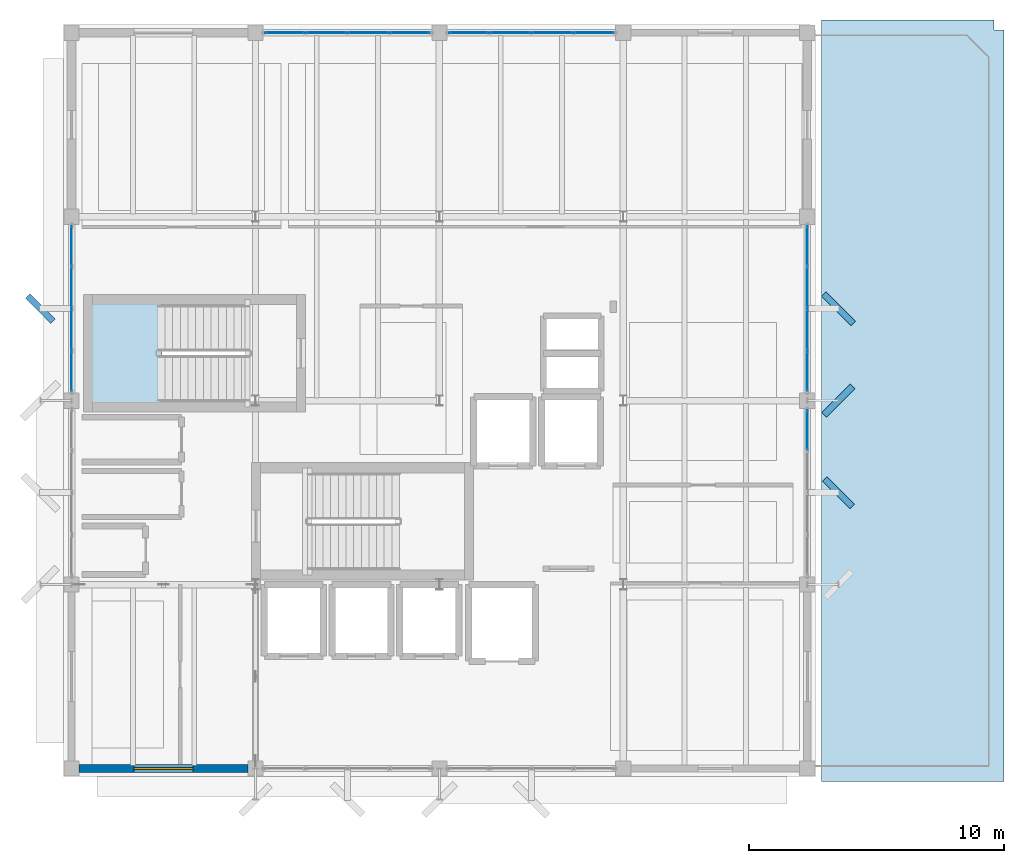
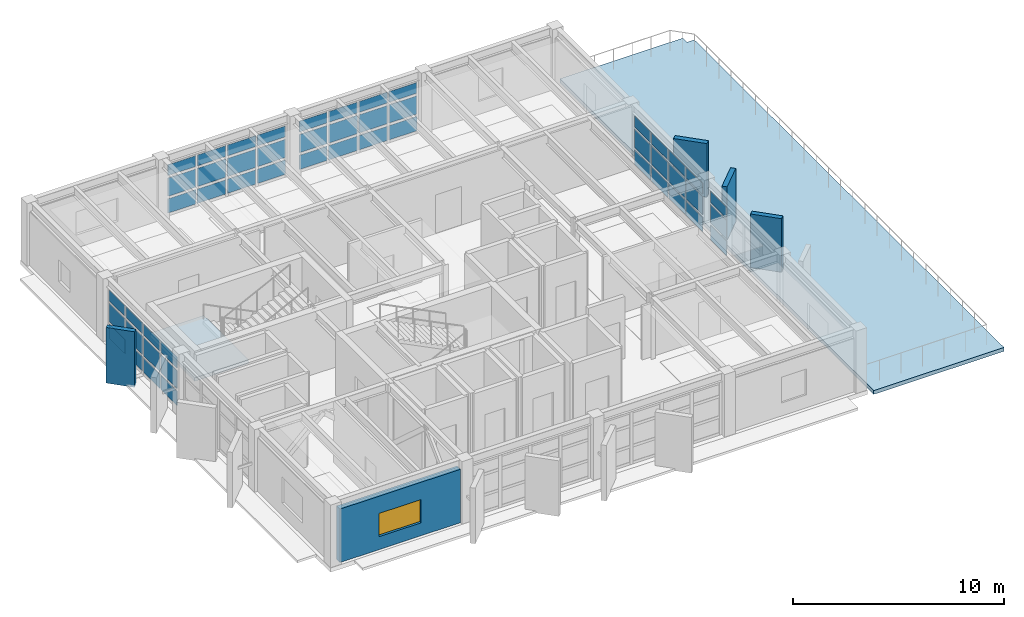
# One storey, part 12 of 19: 55 plates, 2 slabs, 1 wall, 1 window, 1 opening, 6 elements without a shape of their own.
"""IFC4 building model written with IfcOpenShell, lengths in metres."""

from ifc_helpers import new_model, si_unit, direction, frame, frame_2d, origin, origin_2d, place, context, subcontext, project, spatial, polyline, rectangle, outline, extrude, material, layer, layer_set, type_object, element, fill, aggregate, save


model = new_model("IFC4")

# Units and contexts
model_context = context("Model", 3, precision=1e-05, world=origin(), true_north=direction((0.0, 1.0)))
body_context = subcontext(model_context, "Body", "Model", "MODEL_VIEW")
ifc_project = project(units=[si_unit("LENGTHUNIT", "METRE"), si_unit("AREAUNIT", "SQUARE_METRE"), si_unit("VOLUMEUNIT", "CUBIC_METRE"), si_unit("PLANEANGLEUNIT", "RADIAN"), si_unit("MASSUNIT", "GRAM", prefix="KILO")], contexts=[model_context])

# Site, building, storey
site_placement = place(None, origin())
site = spatial("IfcSite", under=ifc_project, at=site_placement, CompositionType="ELEMENT")
building_placement = place(site_placement, origin())
building = spatial("IfcBuilding", under=site, at=building_placement, Name="Kandorven Conservatory and Botanical Research Centre", CompositionType="ELEMENT")
storey_placement = place(building_placement, frame((0.0, 0.0, 28.800048828125)))
storey = spatial("IfcBuildingStorey", under=building, at=storey_placement, Name="L07", CompositionType="ELEMENT", Elevation=28.800048828125)

# Curtain wall, plates
ifc_material_1 = material(Name="Bronze anodised thermally broken aluminium", Category="aluminium")
ifc_layer_1 = layer(ifc_material_1, 0.179931640625)
ifc_layer_set_1 = layer_set([ifc_layer_1], Name="Bronze anodised thermally broken aluminium")
curtain_wall_type = type_object("IfcCurtainWallType", Name="CW_Unitised", PredefinedType="USERDEFINED", material=ifc_layer_set_1)
curtain_wall_1_placement = place(storey_placement, origin())
curtain_wall_1 = element("IfcCurtainWall", 1, at=curtain_wall_1_placement, inside=storey, type_object=curtain_wall_type, Name="Tower laboratory curtain wall CW-TWR-N-L07-2", ObjectType="UNITISED GLAZING", PredefinedType="USERDEFINED")
ifc_material_2 = material(Name="Double-glazed solar-control low-E glass", Category="glass")
ifc_layer_2 = layer(ifc_material_2, 0.028076171875)
ifc_layer_set_2 = layer_set([ifc_layer_2], Name="Double-glazed solar-control low-E glass")
plate_type_1 = type_object("IfcPlateType", Name="CW_Panel", PredefinedType="CURTAIN_PANEL", material=ifc_layer_set_2)
plate_1_placement = place(storey_placement, frame((14.344970703125, 34.800048828125, 0.14990234375), z_axis=(0.0, 0.0, 1.0), x_axis=(1.0, 0.0, 0.0)))
plate_1 = element("IfcPlate", 2, at=plate_1_placement, type_object=plate_type_1, Name="CW-01 panel 1.1", PredefinedType="CURTAIN_PANEL", context=body_context, shape_type="SweptSolid", body=[
    extrude(rectangle(XDim=1.530029296875, YDim=0.028076171875, at=origin_2d()), origin(), (0.0, 0.0, 1.0), 0.824951171875),
])
plate_2_placement = place(storey_placement, frame((14.344970703125, 34.800048828125, 1.125), z_axis=(0.0, 0.0, 1.0), x_axis=(1.0, 0.0, 0.0)))
plate_2 = element("IfcPlate", 3, at=plate_2_placement, type_object=plate_type_1, Name="CW-01 panel 1.2", PredefinedType="CURTAIN_PANEL", context=body_context, shape_type="SweptSolid", body=[
    extrude(rectangle(XDim=1.530029296875, YDim=0.028076171875, at=origin_2d()), origin(), (0.0, 0.0, 1.0), 1.050048828125),
])
plate_3_placement = place(storey_placement, frame((14.344970703125, 34.800048828125, 2.324951171875), z_axis=(0.0, 0.0, 1.0), x_axis=(1.0, 0.0, 0.0)))
plate_3 = element("IfcPlate", 4, at=plate_3_placement, type_object=plate_type_1, Name="CW-01 panel 1.3", PredefinedType="CURTAIN_PANEL", context=body_context, shape_type="SweptSolid", body=[
    extrude(rectangle(XDim=1.530029296875, YDim=0.028076171875, at=origin_2d()), origin(), (0.0, 0.0, 1.0), 0.625),
])
plate_4_placement = place(storey_placement, frame((15.97509765625, 34.800048828125, 0.14990234375), z_axis=(0.0, 0.0, 1.0), x_axis=(1.0, 0.0, 0.0)))
plate_4 = element("IfcPlate", 5, at=plate_4_placement, type_object=plate_type_1, Name="CW-01 panel 2.1", PredefinedType="CURTAIN_PANEL", context=body_context, shape_type="SweptSolid", body=[
    extrude(rectangle(XDim=1.570068359375, YDim=0.028076171875, at=origin_2d()), origin(), (0.0, 0.0, 1.0), 0.824951171875),
])
plate_5_placement = place(storey_placement, frame((15.97509765625, 34.800048828125, 1.125), z_axis=(0.0, 0.0, 1.0), x_axis=(1.0, 0.0, 0.0)))
plate_5 = element("IfcPlate", 6, at=plate_5_placement, type_object=plate_type_1, Name="CW-01 panel 2.2", PredefinedType="CURTAIN_PANEL", context=body_context, shape_type="SweptSolid", body=[
    extrude(rectangle(XDim=1.570068359375, YDim=0.028076171875, at=origin_2d()), origin(), (0.0, 0.0, 1.0), 1.050048828125),
])
plate_6_placement = place(storey_placement, frame((15.97509765625, 34.800048828125, 2.324951171875), z_axis=(0.0, 0.0, 1.0), x_axis=(1.0, 0.0, 0.0)))
plate_6 = element("IfcPlate", 7, at=plate_6_placement, type_object=plate_type_1, Name="CW-01 panel 2.3", PredefinedType="CURTAIN_PANEL", context=body_context, shape_type="SweptSolid", body=[
    extrude(rectangle(XDim=1.570068359375, YDim=0.028076171875, at=origin_2d()), origin(), (0.0, 0.0, 1.0), 0.625),
])
plate_7_placement = place(storey_placement, frame((17.625, 34.800048828125, 0.14990234375), z_axis=(0.0, 0.0, 1.0), x_axis=(1.0, 0.0, 0.0)))
plate_7 = element("IfcPlate", 8, at=plate_7_placement, type_object=plate_type_1, Name="CW-01 panel 3.1", PredefinedType="CURTAIN_PANEL", context=body_context, shape_type="SweptSolid", body=[
    extrude(rectangle(XDim=1.570068359375, YDim=0.028076171875, at=origin_2d()), origin(), (0.0, 0.0, 1.0), 0.824951171875),
])
plate_8_placement = place(storey_placement, frame((17.625, 34.800048828125, 1.125), z_axis=(0.0, 0.0, 1.0), x_axis=(1.0, 0.0, 0.0)))
plate_8 = element("IfcPlate", 9, at=plate_8_placement, type_object=plate_type_1, Name="CW-01 panel 3.2", PredefinedType="CURTAIN_PANEL", context=body_context, shape_type="SweptSolid", body=[
    extrude(rectangle(XDim=1.570068359375, YDim=0.028076171875, at=origin_2d()), origin(), (0.0, 0.0, 1.0), 1.050048828125),
])
plate_9_placement = place(storey_placement, frame((17.625, 34.800048828125, 2.324951171875), z_axis=(0.0, 0.0, 1.0), x_axis=(1.0, 0.0, 0.0)))
plate_9 = element("IfcPlate", 10, at=plate_9_placement, type_object=plate_type_1, Name="CW-01 panel 3.3", PredefinedType="CURTAIN_PANEL", context=body_context, shape_type="SweptSolid", body=[
    extrude(rectangle(XDim=1.570068359375, YDim=0.028076171875, at=origin_2d()), origin(), (0.0, 0.0, 1.0), 0.625),
])
plate_10_placement = place(storey_placement, frame((19.2548828125, 34.800048828125, 0.14990234375), z_axis=(0.0, 0.0, 1.0), x_axis=(1.0, 0.0, 0.0)))
plate_10 = element("IfcPlate", 11, at=plate_10_placement, type_object=plate_type_1, Name="CW-01 panel 4.1", PredefinedType="CURTAIN_PANEL", context=body_context, shape_type="SweptSolid", body=[
    extrude(rectangle(XDim=1.530029296875, YDim=0.028076171875, at=origin_2d()), origin(), (0.0, 0.0, 1.0), 0.824951171875),
])
plate_11_placement = place(storey_placement, frame((19.2548828125, 34.800048828125, 1.125), z_axis=(0.0, 0.0, 1.0), x_axis=(1.0, 0.0, 0.0)))
plate_11 = element("IfcPlate", 12, at=plate_11_placement, type_object=plate_type_1, Name="CW-01 panel 4.2", PredefinedType="CURTAIN_PANEL", context=body_context, shape_type="SweptSolid", body=[
    extrude(rectangle(XDim=1.530029296875, YDim=0.028076171875, at=origin_2d()), origin(), (0.0, 0.0, 1.0), 1.050048828125),
])
plate_12_placement = place(storey_placement, frame((19.2548828125, 34.800048828125, 2.324951171875), z_axis=(0.0, 0.0, 1.0), x_axis=(1.0, 0.0, 0.0)))
plate_12 = element("IfcPlate", 13, at=plate_12_placement, type_object=plate_type_1, Name="CW-01 panel 4.3", PredefinedType="CURTAIN_PANEL", context=body_context, shape_type="SweptSolid", body=[
    extrude(rectangle(XDim=1.530029296875, YDim=0.028076171875, at=origin_2d()), origin(), (0.0, 0.0, 1.0), 0.625),
])
aggregate(curtain_wall_1, [plate_1, plate_2, plate_3, plate_4, plate_5, plate_6, plate_7, plate_8, plate_9, plate_10, plate_11, plate_12])

curtain_wall_2_placement = place(storey_placement, origin())
curtain_wall_2 = element("IfcCurtainWall", 14, at=curtain_wall_2_placement, inside=storey, type_object=curtain_wall_type, Name="Tower laboratory curtain wall CW-TWR-N-L07-3", ObjectType="UNITISED GLAZING", PredefinedType="USERDEFINED")
plate_13_placement = place(storey_placement, frame((21.544921875, 34.800048828125, 0.14990234375), z_axis=(0.0, 0.0, 1.0), x_axis=(1.0, 0.0, 0.0)))
plate_13 = element("IfcPlate", 15, at=plate_13_placement, type_object=plate_type_1, Name="CW-01 panel 1.1", PredefinedType="CURTAIN_PANEL", context=body_context, shape_type="SweptSolid", body=[
    extrude(rectangle(XDim=1.530029296875, YDim=0.028076171875, at=origin_2d()), origin(), (0.0, 0.0, 1.0), 0.824951171875),
])
plate_14_placement = place(storey_placement, frame((21.544921875, 34.800048828125, 1.125), z_axis=(0.0, 0.0, 1.0), x_axis=(1.0, 0.0, 0.0)))
plate_14 = element("IfcPlate", 16, at=plate_14_placement, type_object=plate_type_1, Name="CW-01 panel 1.2", PredefinedType="CURTAIN_PANEL", context=body_context, shape_type="SweptSolid", body=[
    extrude(rectangle(XDim=1.530029296875, YDim=0.028076171875, at=origin_2d()), origin(), (0.0, 0.0, 1.0), 1.050048828125),
])
plate_15_placement = place(storey_placement, frame((21.544921875, 34.800048828125, 2.324951171875), z_axis=(0.0, 0.0, 1.0), x_axis=(1.0, 0.0, 0.0)))
plate_15 = element("IfcPlate", 17, at=plate_15_placement, type_object=plate_type_1, Name="CW-01 panel 1.3", PredefinedType="CURTAIN_PANEL", context=body_context, shape_type="SweptSolid", body=[
    extrude(rectangle(XDim=1.530029296875, YDim=0.028076171875, at=origin_2d()), origin(), (0.0, 0.0, 1.0), 0.625),
])
plate_16_placement = place(storey_placement, frame((23.175048828125, 34.800048828125, 0.14990234375), z_axis=(0.0, 0.0, 1.0), x_axis=(1.0, 0.0, 0.0)))
plate_16 = element("IfcPlate", 18, at=plate_16_placement, type_object=plate_type_1, Name="CW-01 panel 2.1", PredefinedType="CURTAIN_PANEL", context=body_context, shape_type="SweptSolid", body=[
    extrude(rectangle(XDim=1.570068359375, YDim=0.028076171875, at=origin_2d()), origin(), (0.0, 0.0, 1.0), 0.824951171875),
])
plate_17_placement = place(storey_placement, frame((23.175048828125, 34.800048828125, 1.125), z_axis=(0.0, 0.0, 1.0), x_axis=(1.0, 0.0, 0.0)))
plate_17 = element("IfcPlate", 19, at=plate_17_placement, type_object=plate_type_1, Name="CW-01 panel 2.2", PredefinedType="CURTAIN_PANEL", context=body_context, shape_type="SweptSolid", body=[
    extrude(rectangle(XDim=1.570068359375, YDim=0.028076171875, at=origin_2d()), origin(), (0.0, 0.0, 1.0), 1.050048828125),
])
plate_18_placement = place(storey_placement, frame((23.175048828125, 34.800048828125, 2.324951171875), z_axis=(0.0, 0.0, 1.0), x_axis=(1.0, 0.0, 0.0)))
plate_18 = element("IfcPlate", 20, at=plate_18_placement, type_object=plate_type_1, Name="CW-01 panel 2.3", PredefinedType="CURTAIN_PANEL", context=body_context, shape_type="SweptSolid", body=[
    extrude(rectangle(XDim=1.570068359375, YDim=0.028076171875, at=origin_2d()), origin(), (0.0, 0.0, 1.0), 0.625),
])
plate_19_placement = place(storey_placement, frame((24.824951171875, 34.800048828125, 0.14990234375), z_axis=(0.0, 0.0, 1.0), x_axis=(1.0, 0.0, 0.0)))
plate_19 = element("IfcPlate", 21, at=plate_19_placement, type_object=plate_type_1, Name="CW-01 panel 3.1", PredefinedType="CURTAIN_PANEL", context=body_context, shape_type="SweptSolid", body=[
    extrude(rectangle(XDim=1.570068359375, YDim=0.028076171875, at=origin_2d()), origin(), (0.0, 0.0, 1.0), 0.824951171875),
])
plate_20_placement = place(storey_placement, frame((24.824951171875, 34.800048828125, 1.125), z_axis=(0.0, 0.0, 1.0), x_axis=(1.0, 0.0, 0.0)))
plate_20 = element("IfcPlate", 22, at=plate_20_placement, type_object=plate_type_1, Name="CW-01 panel 3.2", PredefinedType="CURTAIN_PANEL", context=body_context, shape_type="SweptSolid", body=[
    extrude(rectangle(XDim=1.570068359375, YDim=0.028076171875, at=origin_2d()), origin(), (0.0, 0.0, 1.0), 1.050048828125),
])
plate_21_placement = place(storey_placement, frame((24.824951171875, 34.800048828125, 2.324951171875), z_axis=(0.0, 0.0, 1.0), x_axis=(1.0, 0.0, 0.0)))
plate_21 = element("IfcPlate", 23, at=plate_21_placement, type_object=plate_type_1, Name="CW-01 panel 3.3", PredefinedType="CURTAIN_PANEL", context=body_context, shape_type="SweptSolid", body=[
    extrude(rectangle(XDim=1.570068359375, YDim=0.028076171875, at=origin_2d()), origin(), (0.0, 0.0, 1.0), 0.625),
])
plate_22_placement = place(storey_placement, frame((26.455078125, 34.800048828125, 0.14990234375), z_axis=(0.0, 0.0, 1.0), x_axis=(1.0, 0.0, 0.0)))
plate_22 = element("IfcPlate", 24, at=plate_22_placement, type_object=plate_type_1, Name="CW-01 panel 4.1", PredefinedType="CURTAIN_PANEL", context=body_context, shape_type="SweptSolid", body=[
    extrude(rectangle(XDim=1.530029296875, YDim=0.028076171875, at=origin_2d()), origin(), (0.0, 0.0, 1.0), 0.824951171875),
])
plate_23_placement = place(storey_placement, frame((26.455078125, 34.800048828125, 1.125), z_axis=(0.0, 0.0, 1.0), x_axis=(1.0, 0.0, 0.0)))
plate_23 = element("IfcPlate", 25, at=plate_23_placement, type_object=plate_type_1, Name="CW-01 panel 4.2", PredefinedType="CURTAIN_PANEL", context=body_context, shape_type="SweptSolid", body=[
    extrude(rectangle(XDim=1.530029296875, YDim=0.028076171875, at=origin_2d()), origin(), (0.0, 0.0, 1.0), 1.050048828125),
])
plate_24_placement = place(storey_placement, frame((26.455078125, 34.800048828125, 2.324951171875), z_axis=(0.0, 0.0, 1.0), x_axis=(1.0, 0.0, 0.0)))
plate_24 = element("IfcPlate", 26, at=plate_24_placement, type_object=plate_type_1, Name="CW-01 panel 4.3", PredefinedType="CURTAIN_PANEL", context=body_context, shape_type="SweptSolid", body=[
    extrude(rectangle(XDim=1.530029296875, YDim=0.028076171875, at=origin_2d()), origin(), (0.0, 0.0, 1.0), 0.625),
])
aggregate(curtain_wall_2, [plate_13, plate_14, plate_15, plate_16, plate_17, plate_18, plate_19, plate_20, plate_21, plate_22, plate_23, plate_24])

curtain_wall_3_placement = place(storey_placement, origin())
curtain_wall_3 = element("IfcCurtainWall", 27, at=curtain_wall_3_placement, inside=storey, type_object=curtain_wall_type, Name="Tower laboratory curtain wall CW-TWR-W-L07-3", ObjectType="UNITISED GLAZING", PredefinedType="USERDEFINED")
plate_25_placement = place(storey_placement, frame((6.0, 21.544921875, 0.14990234375), z_axis=(0.0, 0.0, 1.0), x_axis=(0.0, 1.0, 0.0)))
plate_25 = element("IfcPlate", 28, at=plate_25_placement, type_object=plate_type_1, Name="CW-01 panel 1.1", PredefinedType="CURTAIN_PANEL", context=body_context, shape_type="SweptSolid", body=[
    extrude(rectangle(XDim=1.530029296875, YDim=0.028076171875, at=origin_2d()), origin(), (0.0, 0.0, 1.0), 0.824951171875),
])
plate_26_placement = place(storey_placement, frame((6.0, 21.544921875, 1.125), z_axis=(0.0, 0.0, 1.0), x_axis=(0.0, 1.0, 0.0)))
plate_26 = element("IfcPlate", 29, at=plate_26_placement, type_object=plate_type_1, Name="CW-01 panel 1.2", PredefinedType="CURTAIN_PANEL", context=body_context, shape_type="SweptSolid", body=[
    extrude(rectangle(XDim=1.530029296875, YDim=0.028076171875, at=origin_2d()), origin(), (0.0, 0.0, 1.0), 1.050048828125),
])
plate_27_placement = place(storey_placement, frame((6.0, 21.544921875, 2.324951171875), z_axis=(0.0, 0.0, 1.0), x_axis=(0.0, 1.0, 0.0)))
plate_27 = element("IfcPlate", 30, at=plate_27_placement, type_object=plate_type_1, Name="CW-01 panel 1.3", PredefinedType="CURTAIN_PANEL", context=body_context, shape_type="SweptSolid", body=[
    extrude(rectangle(XDim=1.530029296875, YDim=0.028076171875, at=origin_2d()), origin(), (0.0, 0.0, 1.0), 0.625),
])
plate_28_placement = place(storey_placement, frame((6.0, 23.175048828125, 0.14990234375), z_axis=(0.0, 0.0, 1.0), x_axis=(0.0, 1.0, 0.0)))
plate_28 = element("IfcPlate", 31, at=plate_28_placement, type_object=plate_type_1, Name="CW-01 panel 2.1", PredefinedType="CURTAIN_PANEL", context=body_context, shape_type="SweptSolid", body=[
    extrude(rectangle(XDim=1.570068359375, YDim=0.028076171875, at=origin_2d()), origin(), (0.0, 0.0, 1.0), 0.824951171875),
])
plate_29_placement = place(storey_placement, frame((6.0, 23.175048828125, 1.125), z_axis=(0.0, 0.0, 1.0), x_axis=(0.0, 1.0, 0.0)))
plate_29 = element("IfcPlate", 32, at=plate_29_placement, type_object=plate_type_1, Name="CW-01 panel 2.2", PredefinedType="CURTAIN_PANEL", context=body_context, shape_type="SweptSolid", body=[
    extrude(rectangle(XDim=1.570068359375, YDim=0.028076171875, at=origin_2d()), origin(), (0.0, 0.0, 1.0), 1.050048828125),
])
plate_30_placement = place(storey_placement, frame((6.0, 23.175048828125, 2.324951171875), z_axis=(0.0, 0.0, 1.0), x_axis=(0.0, 1.0, 0.0)))
plate_30 = element("IfcPlate", 33, at=plate_30_placement, type_object=plate_type_1, Name="CW-01 panel 2.3", PredefinedType="CURTAIN_PANEL", context=body_context, shape_type="SweptSolid", body=[
    extrude(rectangle(XDim=1.570068359375, YDim=0.028076171875, at=origin_2d()), origin(), (0.0, 0.0, 1.0), 0.625),
])
plate_31_placement = place(storey_placement, frame((6.0, 24.824951171875, 0.14990234375), z_axis=(0.0, 0.0, 1.0), x_axis=(0.0, 1.0, 0.0)))
plate_31 = element("IfcPlate", 34, at=plate_31_placement, type_object=plate_type_1, Name="CW-01 panel 3.1", PredefinedType="CURTAIN_PANEL", context=body_context, shape_type="SweptSolid", body=[
    extrude(rectangle(XDim=1.570068359375, YDim=0.028076171875, at=origin_2d()), origin(), (0.0, 0.0, 1.0), 0.824951171875),
])
plate_32_placement = place(storey_placement, frame((6.0, 24.824951171875, 1.125), z_axis=(0.0, 0.0, 1.0), x_axis=(0.0, 1.0, 0.0)))
plate_32 = element("IfcPlate", 35, at=plate_32_placement, type_object=plate_type_1, Name="CW-01 panel 3.2", PredefinedType="CURTAIN_PANEL", context=body_context, shape_type="SweptSolid", body=[
    extrude(rectangle(XDim=1.570068359375, YDim=0.028076171875, at=origin_2d()), origin(), (0.0, 0.0, 1.0), 1.050048828125),
])
plate_33_placement = place(storey_placement, frame((6.0, 24.824951171875, 2.324951171875), z_axis=(0.0, 0.0, 1.0), x_axis=(0.0, 1.0, 0.0)))
plate_33 = element("IfcPlate", 36, at=plate_33_placement, type_object=plate_type_1, Name="CW-01 panel 3.3", PredefinedType="CURTAIN_PANEL", context=body_context, shape_type="SweptSolid", body=[
    extrude(rectangle(XDim=1.570068359375, YDim=0.028076171875, at=origin_2d()), origin(), (0.0, 0.0, 1.0), 0.625),
])
plate_34_placement = place(storey_placement, frame((6.0, 26.455078125, 0.14990234375), z_axis=(0.0, 0.0, 1.0), x_axis=(0.0, 1.0, 0.0)))
plate_34 = element("IfcPlate", 37, at=plate_34_placement, type_object=plate_type_1, Name="CW-01 panel 4.1", PredefinedType="CURTAIN_PANEL", context=body_context, shape_type="SweptSolid", body=[
    extrude(rectangle(XDim=1.530029296875, YDim=0.028076171875, at=origin_2d()), origin(), (0.0, 0.0, 1.0), 0.824951171875),
])
plate_35_placement = place(storey_placement, frame((6.0, 26.455078125, 1.125), z_axis=(0.0, 0.0, 1.0), x_axis=(0.0, 1.0, 0.0)))
plate_35 = element("IfcPlate", 38, at=plate_35_placement, type_object=plate_type_1, Name="CW-01 panel 4.2", PredefinedType="CURTAIN_PANEL", context=body_context, shape_type="SweptSolid", body=[
    extrude(rectangle(XDim=1.530029296875, YDim=0.028076171875, at=origin_2d()), origin(), (0.0, 0.0, 1.0), 1.050048828125),
])
plate_36_placement = place(storey_placement, frame((6.0, 26.455078125, 2.324951171875), z_axis=(0.0, 0.0, 1.0), x_axis=(0.0, 1.0, 0.0)))
plate_36 = element("IfcPlate", 39, at=plate_36_placement, type_object=plate_type_1, Name="CW-01 panel 4.3", PredefinedType="CURTAIN_PANEL", context=body_context, shape_type="SweptSolid", body=[
    extrude(rectangle(XDim=1.530029296875, YDim=0.028076171875, at=origin_2d()), origin(), (0.0, 0.0, 1.0), 0.625),
])
aggregate(curtain_wall_3, [plate_25, plate_26, plate_27, plate_28, plate_29, plate_30, plate_31, plate_32, plate_33, plate_34, plate_35, plate_36])

curtain_wall_4_placement = place(storey_placement, origin())
curtain_wall_4 = element("IfcCurtainWall", 40, at=curtain_wall_4_placement, inside=storey, type_object=curtain_wall_type, Name="Tower laboratory curtain wall CW-TWR-E-L07-2", ObjectType="UNITISED GLAZING", PredefinedType="USERDEFINED")
plate_37_placement = place(storey_placement, frame((34.800048828125, 19.2548828125, 0.14990234375), z_axis=(0.0, 0.0, 1.0), x_axis=(0.0, 1.0, 0.0)))
plate_37 = element("IfcPlate", 41, at=plate_37_placement, type_object=plate_type_1, Name="CW-01 panel 4.1", PredefinedType="CURTAIN_PANEL", context=body_context, shape_type="SweptSolid", body=[
    extrude(rectangle(XDim=1.530029296875, YDim=0.028076171875, at=origin_2d()), origin(), (0.0, 0.0, 1.0), 0.824951171875),
])
plate_38_placement = place(storey_placement, frame((34.800048828125, 19.2548828125, 1.125), z_axis=(0.0, 0.0, 1.0), x_axis=(0.0, 1.0, 0.0)))
plate_38 = element("IfcPlate", 42, at=plate_38_placement, type_object=plate_type_1, Name="CW-01 panel 4.2", PredefinedType="CURTAIN_PANEL", context=body_context, shape_type="SweptSolid", body=[
    extrude(rectangle(XDim=1.530029296875, YDim=0.028076171875, at=origin_2d()), origin(), (0.0, 0.0, 1.0), 1.050048828125),
])
plate_39_placement = place(storey_placement, frame((34.800048828125, 19.2548828125, 2.324951171875), z_axis=(0.0, 0.0, 1.0), x_axis=(0.0, 1.0, 0.0)))
plate_39 = element("IfcPlate", 43, at=plate_39_placement, type_object=plate_type_1, Name="CW-01 panel 4.3", PredefinedType="CURTAIN_PANEL", context=body_context, shape_type="SweptSolid", body=[
    extrude(rectangle(XDim=1.530029296875, YDim=0.028076171875, at=origin_2d()), origin(), (0.0, 0.0, 1.0), 0.625),
])
aggregate(curtain_wall_4, [plate_37, plate_38, plate_39])

curtain_wall_5_placement = place(storey_placement, origin())
curtain_wall_5 = element("IfcCurtainWall", 44, at=curtain_wall_5_placement, inside=storey, type_object=curtain_wall_type, Name="Tower laboratory curtain wall CW-TWR-E-L07-3", ObjectType="UNITISED GLAZING", PredefinedType="USERDEFINED")
plate_40_placement = place(storey_placement, frame((34.800048828125, 21.544921875, 0.14990234375), z_axis=(0.0, 0.0, 1.0), x_axis=(0.0, 1.0, 0.0)))
plate_40 = element("IfcPlate", 45, at=plate_40_placement, type_object=plate_type_1, Name="CW-01 panel 1.1", PredefinedType="CURTAIN_PANEL", context=body_context, shape_type="SweptSolid", body=[
    extrude(rectangle(XDim=1.530029296875, YDim=0.028076171875, at=origin_2d()), origin(), (0.0, 0.0, 1.0), 0.824951171875),
])
plate_41_placement = place(storey_placement, frame((34.800048828125, 21.544921875, 1.125), z_axis=(0.0, 0.0, 1.0), x_axis=(0.0, 1.0, 0.0)))
plate_41 = element("IfcPlate", 46, at=plate_41_placement, type_object=plate_type_1, Name="CW-01 panel 1.2", PredefinedType="CURTAIN_PANEL", context=body_context, shape_type="SweptSolid", body=[
    extrude(rectangle(XDim=1.530029296875, YDim=0.028076171875, at=origin_2d()), origin(), (0.0, 0.0, 1.0), 1.050048828125),
])
plate_42_placement = place(storey_placement, frame((34.800048828125, 21.544921875, 2.324951171875), z_axis=(0.0, 0.0, 1.0), x_axis=(0.0, 1.0, 0.0)))
plate_42 = element("IfcPlate", 47, at=plate_42_placement, type_object=plate_type_1, Name="CW-01 panel 1.3", PredefinedType="CURTAIN_PANEL", context=body_context, shape_type="SweptSolid", body=[
    extrude(rectangle(XDim=1.530029296875, YDim=0.028076171875, at=origin_2d()), origin(), (0.0, 0.0, 1.0), 0.625),
])
plate_43_placement = place(storey_placement, frame((34.800048828125, 23.175048828125, 0.14990234375), z_axis=(0.0, 0.0, 1.0), x_axis=(0.0, 1.0, 0.0)))
plate_43 = element("IfcPlate", 48, at=plate_43_placement, type_object=plate_type_1, Name="CW-01 panel 2.1", PredefinedType="CURTAIN_PANEL", context=body_context, shape_type="SweptSolid", body=[
    extrude(rectangle(XDim=1.570068359375, YDim=0.028076171875, at=origin_2d()), origin(), (0.0, 0.0, 1.0), 0.824951171875),
])
plate_44_placement = place(storey_placement, frame((34.800048828125, 23.175048828125, 1.125), z_axis=(0.0, 0.0, 1.0), x_axis=(0.0, 1.0, 0.0)))
plate_44 = element("IfcPlate", 49, at=plate_44_placement, type_object=plate_type_1, Name="CW-01 panel 2.2", PredefinedType="CURTAIN_PANEL", context=body_context, shape_type="SweptSolid", body=[
    extrude(rectangle(XDim=1.570068359375, YDim=0.028076171875, at=origin_2d()), origin(), (0.0, 0.0, 1.0), 1.050048828125),
])
plate_45_placement = place(storey_placement, frame((34.800048828125, 23.175048828125, 2.324951171875), z_axis=(0.0, 0.0, 1.0), x_axis=(0.0, 1.0, 0.0)))
plate_45 = element("IfcPlate", 50, at=plate_45_placement, type_object=plate_type_1, Name="CW-01 panel 2.3", PredefinedType="CURTAIN_PANEL", context=body_context, shape_type="SweptSolid", body=[
    extrude(rectangle(XDim=1.570068359375, YDim=0.028076171875, at=origin_2d()), origin(), (0.0, 0.0, 1.0), 0.625),
])
plate_46_placement = place(storey_placement, frame((34.800048828125, 24.824951171875, 0.14990234375), z_axis=(0.0, 0.0, 1.0), x_axis=(0.0, 1.0, 0.0)))
plate_46 = element("IfcPlate", 51, at=plate_46_placement, type_object=plate_type_1, Name="CW-01 panel 3.1", PredefinedType="CURTAIN_PANEL", context=body_context, shape_type="SweptSolid", body=[
    extrude(rectangle(XDim=1.570068359375, YDim=0.028076171875, at=origin_2d()), origin(), (0.0, 0.0, 1.0), 0.824951171875),
])
plate_47_placement = place(storey_placement, frame((34.800048828125, 24.824951171875, 1.125), z_axis=(0.0, 0.0, 1.0), x_axis=(0.0, 1.0, 0.0)))
plate_47 = element("IfcPlate", 52, at=plate_47_placement, type_object=plate_type_1, Name="CW-01 panel 3.2", PredefinedType="CURTAIN_PANEL", context=body_context, shape_type="SweptSolid", body=[
    extrude(rectangle(XDim=1.570068359375, YDim=0.028076171875, at=origin_2d()), origin(), (0.0, 0.0, 1.0), 1.050048828125),
])
plate_48_placement = place(storey_placement, frame((34.800048828125, 24.824951171875, 2.324951171875), z_axis=(0.0, 0.0, 1.0), x_axis=(0.0, 1.0, 0.0)))
plate_48 = element("IfcPlate", 53, at=plate_48_placement, type_object=plate_type_1, Name="CW-01 panel 3.3", PredefinedType="CURTAIN_PANEL", context=body_context, shape_type="SweptSolid", body=[
    extrude(rectangle(XDim=1.570068359375, YDim=0.028076171875, at=origin_2d()), origin(), (0.0, 0.0, 1.0), 0.625),
])
plate_49_placement = place(storey_placement, frame((34.800048828125, 26.455078125, 0.14990234375), z_axis=(0.0, 0.0, 1.0), x_axis=(0.0, 1.0, 0.0)))
plate_49 = element("IfcPlate", 54, at=plate_49_placement, type_object=plate_type_1, Name="CW-01 panel 4.1", PredefinedType="CURTAIN_PANEL", context=body_context, shape_type="SweptSolid", body=[
    extrude(rectangle(XDim=1.530029296875, YDim=0.028076171875, at=origin_2d()), origin(), (0.0, 0.0, 1.0), 0.824951171875),
])
plate_50_placement = place(storey_placement, frame((34.800048828125, 26.455078125, 1.125), z_axis=(0.0, 0.0, 1.0), x_axis=(0.0, 1.0, 0.0)))
plate_50 = element("IfcPlate", 55, at=plate_50_placement, type_object=plate_type_1, Name="CW-01 panel 4.2", PredefinedType="CURTAIN_PANEL", context=body_context, shape_type="SweptSolid", body=[
    extrude(rectangle(XDim=1.530029296875, YDim=0.028076171875, at=origin_2d()), origin(), (0.0, 0.0, 1.0), 1.050048828125),
])
plate_51_placement = place(storey_placement, frame((34.800048828125, 26.455078125, 2.324951171875), z_axis=(0.0, 0.0, 1.0), x_axis=(0.0, 1.0, 0.0)))
plate_51 = element("IfcPlate", 56, at=plate_51_placement, type_object=plate_type_1, Name="CW-01 panel 4.3", PredefinedType="CURTAIN_PANEL", context=body_context, shape_type="SweptSolid", body=[
    extrude(rectangle(XDim=1.530029296875, YDim=0.028076171875, at=origin_2d()), origin(), (0.0, 0.0, 1.0), 0.625),
])
aggregate(curtain_wall_5, [plate_40, plate_41, plate_42, plate_43, plate_44, plate_45, plate_46, plate_47, plate_48, plate_49, plate_50, plate_51])

# Plates
ifc_material_3 = material(Name="Precast concrete C40/50 (M50)", Category="concrete")
ifc_layer_3 = layer(ifc_material_3, 0.239990234375)
ifc_layer_set_3 = layer_set([ifc_layer_3], Name="Precast concrete C40/50 (M50)")
plate_type_2 = type_object("IfcPlateType", Name="Fin_BF-01", PredefinedType="USERDEFINED", material=ifc_layer_set_3)
plate_52_placement = place(storey_placement, frame((4.780029296875, 24.0, -0.1201171875), z_axis=(0.0, 0.0, 1.0), x_axis=(-0.707106781187, 0.707106781187, 0.0)))
element("IfcPlate", 57, at=plate_52_placement, inside=storey, type_object=plate_type_2, Name="Sculpted board-marked concrete brise-soleil fin BF-01", ObjectType="SOLAR FIN", PredefinedType="USERDEFINED", context=body_context, shape_type="SweptSolid", body=[
    extrude(rectangle(XDim=1.39990234375, YDim=0.239990234375, at=origin_2d()), origin(), (0.0, 0.0, 1.0), 3.219970703125),
])
ifc_material_4 = material(Name="Precast concrete C40/50 (M50)", Category="concrete")
ifc_layer_4 = layer(ifc_material_4, 0.25)
ifc_layer_set_4 = layer_set([ifc_layer_4], Name="Precast concrete C40/50 (M50)")
plate_type_3 = type_object("IfcPlateType", Name="Fin_BF-03", PredefinedType="USERDEFINED", material=ifc_layer_set_4)
plate_53_placement = place(storey_placement, frame((36.02001953125, 16.800048828125, -0.1201171875), z_axis=(0.0, 0.0, 1.0), x_axis=(-0.707106781187, 0.707106781187, 0.0)))
element("IfcPlate", 58, at=plate_53_placement, inside=storey, type_object=plate_type_3, Name="Sculpted board-marked concrete brise-soleil fin BF-03", ObjectType="SOLAR FIN", PredefinedType="USERDEFINED", context=body_context, shape_type="SweptSolid", body=[
    extrude(rectangle(XDim=1.52001953125, YDim=0.25, at=origin_2d()), origin(), (0.0, 0.0, 1.0), 3.219970703125),
])
ifc_material_5 = material(Name="Precast concrete C40/50 (M50)", Category="concrete")
ifc_layer_5 = layer(ifc_material_5, 0.2548828125)
ifc_layer_set_5 = layer_set([ifc_layer_5], Name="Precast concrete C40/50 (M50)")
plate_type_4 = type_object("IfcPlateType", Name="Fin_BF-04", PredefinedType="USERDEFINED", material=ifc_layer_set_5)
plate_54_placement = place(storey_placement, frame((36.02001953125, 20.39990234375, -0.1201171875), z_axis=(0.0, 0.0, 1.0), x_axis=(0.707106781187, 0.707106781187, 0.0)))
element("IfcPlate", 59, at=plate_54_placement, inside=storey, type_object=plate_type_4, Name="Sculpted board-marked concrete brise-soleil fin BF-04", ObjectType="SOLAR FIN", PredefinedType="USERDEFINED", context=body_context, shape_type="SweptSolid", body=[
    extrude(rectangle(XDim=1.580078125, YDim=0.2548828125, at=origin_2d()), origin(), (0.0, 0.0, 1.0), 3.219970703125),
])
ifc_material_6 = material(Name="Precast concrete C40/50 (M50)", Category="concrete")
ifc_layer_6 = layer(ifc_material_6, 0.260009765625)
ifc_layer_set_6 = layer_set([ifc_layer_6], Name="Precast concrete C40/50 (M50)")
plate_type_5 = type_object("IfcPlateType", Name="Fin_BF-05", PredefinedType="USERDEFINED", material=ifc_layer_set_6)
plate_55_placement = place(storey_placement, frame((36.02001953125, 24.0, -0.1201171875), z_axis=(0.0, 0.0, 1.0), x_axis=(-0.707106781187, 0.707106781187, 0.0)))
element("IfcPlate", 60, at=plate_55_placement, inside=storey, type_object=plate_type_5, Name="Sculpted board-marked concrete brise-soleil fin BF-05", ObjectType="SOLAR FIN", PredefinedType="USERDEFINED", context=body_context, shape_type="SweptSolid", body=[
    extrude(rectangle(XDim=1.639892578125, YDim=0.260009765625, at=origin_2d()), origin(), (0.0, 0.0, 1.0), 3.219970703125),
])

# Slab
ifc_material_7 = material(Name="Concrete C32/40 (M40)", Category="concrete")
ifc_layer_7 = layer(ifc_material_7, 0.219970703125)
ifc_layer_set_7 = layer_set([ifc_layer_7], Name="Concrete C32/40 (M40)")
slab_type_1 = type_object("IfcSlabType", Name="Slab_RS-03", PredefinedType="ROOF", material=ifc_layer_set_7)
slab_1_placement = place(storey_placement, frame((0.0, 0.0, -0.219970703125)))
element("IfcSlab", 61, at=slab_1_placement, inside=storey, type_object=slab_type_1, Name="Level L07 guarded refuge and observation terrace slab", PredefinedType="ROOF", context=body_context, shape_type="SweptSolid", body=[
    extrude(outline(polyline([(35.360107421875, 5.5), (42.5, 5.5), (42.5, 34.89990234375), (42.10009765625, 34.89990234375), (42.10009765625, 35.300048828125), (35.360107421875, 35.300048828125), (35.360107421875, 5.5)])), origin(), (0.0, 0.0, 1.0), 0.219970703125),
])

# Stair, slab
ifc_material_8 = material(Name="Concrete C32/40 (M40)", Category="concrete")
stair_type = type_object("IfcStairType", Name="Stair_1820", PredefinedType="HALF_TURN_STAIR", material=ifc_material_8)
stair_placement = place(storey_placement, origin())
stair = element("IfcStair", 62, at=stair_placement, inside=storey, type_object=stair_type, Name="L07 Tower Fire Stair ST-T2", PredefinedType="HALF_TURN_STAIR")
ifc_material_9 = material(Name="Concrete C32/40 (M40)", Category="concrete")
ifc_layer_8 = layer(ifc_material_9, 0.199951171875)
ifc_layer_set_8 = layer_set([ifc_layer_8], Name="Concrete C32/40 (M40)")
slab_type_2 = type_object("IfcSlabType", Name="StairLanding_200", PredefinedType="LANDING", material=ifc_layer_set_8)
slab_2_placement = place(storey_placement, frame((0.0, 0.0, 1.75)))
slab_2 = element("IfcSlab", 63, at=slab_2_placement, type_object=slab_type_2, Name="ST-T2 landing 1", PredefinedType="LANDING", context=body_context, shape_type="SweptSolid", body=[
    extrude(outline(polyline([(9.54052734375, 24.389892578125), (6.580078125, 24.389892578125), (6.580078125, 20.1201171875), (9.54052734375, 20.1201171875), (9.54052734375, 24.389892578125)])), origin(), (0.0, 0.0, 1.0), 0.199951171875),
])
aggregate(stair, [slab_2])

# Wall, opening, window
ifc_material_10 = material(Name="Concrete C32/40 (M40)", Category="concrete")
ifc_layer_9 = layer(ifc_material_10, 0.320068359375)
ifc_layer_set_9 = layer_set([ifc_layer_9], Name="Concrete C32/40 (M40)")
wall_type = type_object("IfcWallType", Name="Wall_EW-03", PredefinedType="STANDARD", material=ifc_layer_set_9)
wall_placement = place(storey_placement, frame((6.300048828125, 6.0, 0.0), z_axis=(0.0, 0.0, 1.0), x_axis=(1.0, 0.0, 0.0)))
wall = element("IfcWall", 64, at=wall_placement, inside=storey, type_object=wall_type, Name="Tower concrete facade wall EW-03 S L07", PredefinedType="STANDARD", context=body_context, shape_type="SweptSolid", body=[
    extrude(rectangle(XDim=6.599853515625, YDim=0.320068359375, at=frame_2d((3.2998046875, 0.0))), origin(), (0.0, 0.0, 1.0), 3.099853515625),
])
opening_placement = place(wall_placement, frame((2.14990234375, 0.0, 0.75)))
opening = element("IfcOpeningElement", 65, at=opening_placement, cuts=wall, Name="Opening W-37", PredefinedType="OPENING", context=body_context, shape_type="SweptSolid", body=[
    extrude(rectangle(XDim=2.300048828125, YDim=1.35009765625, at=frame_2d((1.14990234375, 0.675048828125))), frame((0.0, 0.169921875, 0.0), z_axis=(0.0, -1.0, 0.0), x_axis=(1.0, 0.0, 0.0)), (0.0, 0.0, 1.0), 0.340087890625),
])
ifc_material_11 = material(Name="Double-glazed solar-control low-E glass", Category="glass")
window_type = type_object("IfcWindowType", Name="Win_W-37", PartitioningType="DOUBLE_PANEL_VERTICAL", PredefinedType="WINDOW", material=ifc_material_11)
window_placement = place(opening_placement, origin())
window = element("IfcWindow", 66, at=window_placement, inside=storey, type_object=window_type, Name="Tower recessed solar window W-37", OverallHeight=1.35009765625, OverallWidth=2.300048828125, PartitioningType="SINGLE_PANEL", PredefinedType="WINDOW", context=body_context, shape_type="SweptSolid", body=[
    extrude(rectangle(XDim=2.300048828125, YDim=1.35009765625, at=frame_2d((1.14990234375, 0.675048828125))), frame((0.0, 0.030029296875, 0.0), z_axis=(0.0, -1.0, 0.0), x_axis=(1.0, 0.0, 0.0)), (0.0, 0.0, 1.0), 0.06005859375),
])
fill(opening, window)

save(model, "model.ifc")
